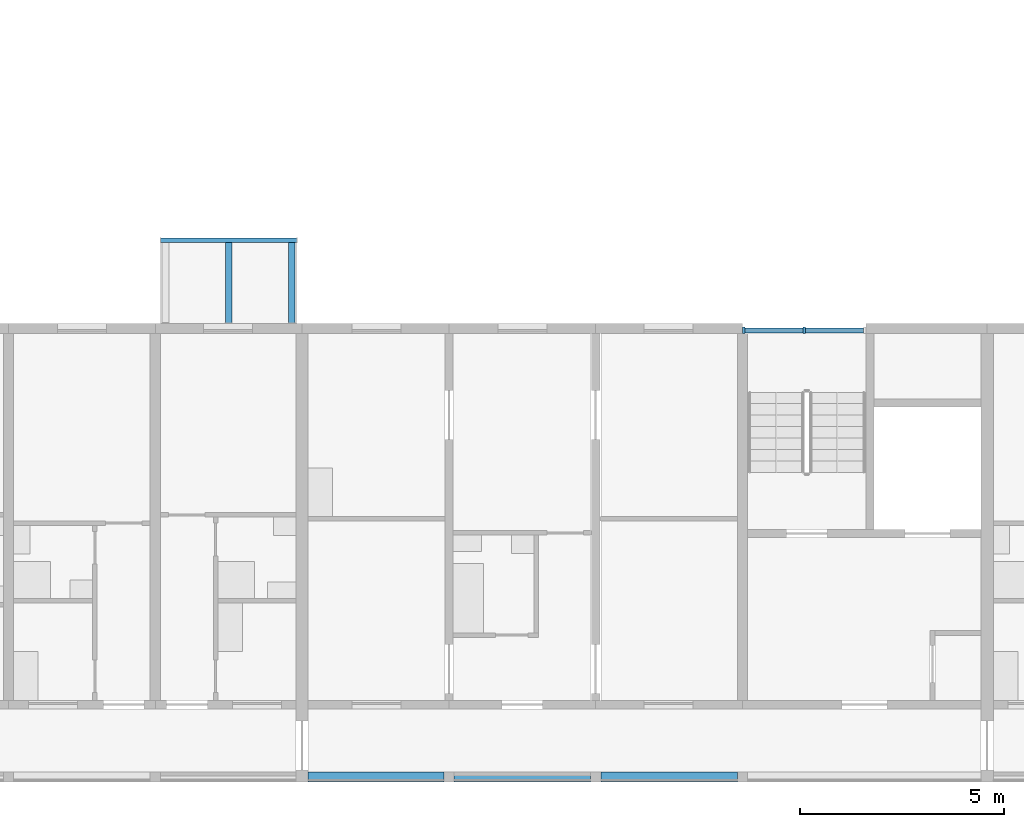
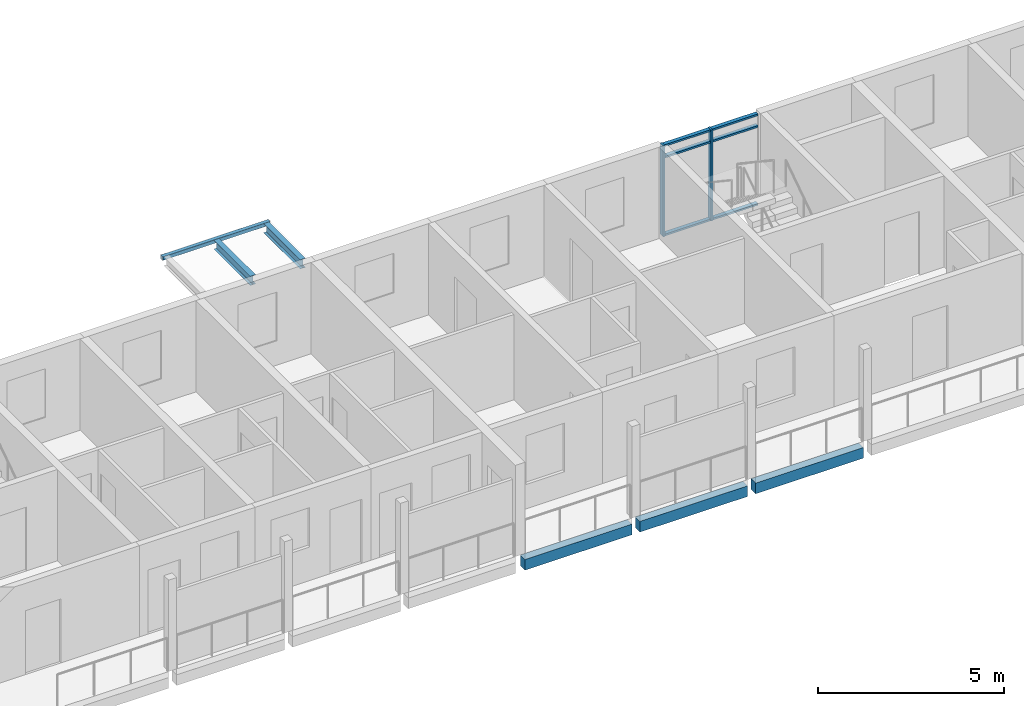
# One storey, part 7 of 98: 8 members, 6 beams, 1 element without a shape of its own.
"""IFC4 building model written with IfcOpenShell, lengths in metres."""

from ifc_helpers import new_model, si_unit, direction, frame, origin, origin_2d, place, context, subcontext, project, spatial, rectangle, hollow_rectangle, i_section, extrude, material, material_profile, profile_set, type_object, element, aggregate, save


model = new_model("IFC4")

# Units and contexts
model_context = context("Model", 3, precision=1e-05, world=origin(), true_north=direction((0.0, 1.0)))
body_context = subcontext(model_context, "Body", "Model", "MODEL_VIEW")
ifc_project = project(units=[si_unit("LENGTHUNIT", "METRE"), si_unit("AREAUNIT", "SQUARE_METRE"), si_unit("VOLUMEUNIT", "CUBIC_METRE"), si_unit("PLANEANGLEUNIT", "RADIAN"), si_unit("MASSUNIT", "GRAM", prefix="KILO")], contexts=[model_context])

# Site, building, storey
site_placement = place(None, origin())
site = spatial("IfcSite", under=ifc_project, at=site_placement, CompositionType="ELEMENT")
building_placement = place(site_placement, origin())
building = spatial("IfcBuilding", under=site, at=building_placement, Name="Ridgestep Commons", CompositionType="ELEMENT")
storey_placement = place(building_placement, frame((0.0, 0.0, 12.0)))
storey = spatial("IfcBuildingStorey", under=building, at=storey_placement, Name="L04", CompositionType="ELEMENT", Elevation=12.0)

# Beams
ifc_material_1 = material(Name="Precast concrete C40/50", Category="concrete")
ifc_material_profile_1 = material_profile(ifc_material_1, rectangle(XDim=0.25, YDim=0.35009765625, at=origin_2d()), Name="PC 250x350")
ifc_profile_set_1 = profile_set([ifc_material_profile_1], Name="Precast concrete C40/50")
beam_type_1 = type_object("IfcBeamType", Name="Loggia edge beam 250 x 350", PredefinedType="SPANDREL", material=ifc_profile_set_1)
beam_1_placement = place(storey_placement, frame((62.550048828125, 11.875, -0.375), z_axis=(1.0, 0.0, 0.0), x_axis=(0.0, 1.0, 0.0)))
element("IfcBeam", 1, at=beam_1_placement, inside=storey, type_object=beam_type_1, Name="Loggia edge beam A4T1 L04", PredefinedType="SPANDREL", context=body_context, shape_type="SweptSolid", body=[
    extrude(rectangle(XDim=0.25, YDim=0.35009765625, at=origin_2d()), origin(), (0.0, 0.0, 1.0), 3.324951171875),
])
beam_2_placement = place(storey_placement, frame((66.125, 11.875, -0.375), z_axis=(1.0, 0.0, 0.0), x_axis=(0.0, 1.0, 0.0)))
element("IfcBeam", 2, at=beam_2_placement, inside=storey, type_object=beam_type_1, Name="Loggia edge beam A4T2 L04", PredefinedType="SPANDREL", context=body_context, shape_type="SweptSolid", body=[
    extrude(rectangle(XDim=0.25, YDim=0.35009765625, at=origin_2d()), origin(), (0.0, 0.0, 1.0), 3.35009765625),
])
beam_3_placement = place(storey_placement, frame((69.72509765625, 11.875, -0.375), z_axis=(1.0, 0.0, 0.0), x_axis=(0.0, 1.0, 0.0)))
element("IfcBeam", 3, at=beam_3_placement, inside=storey, type_object=beam_type_1, Name="Loggia edge beam A4T3 L04", PredefinedType="SPANDREL", context=body_context, shape_type="SweptSolid", body=[
    extrude(rectangle(XDim=0.25, YDim=0.35009765625, at=origin_2d()), origin(), (0.0, 0.0, 1.0), 3.349853515625),
])

# Curtain wall, members
ifc_material_2 = material(Name="Aluminium 6063-T6 and glass", Category="aluminium")
curtain_wall_type = type_object("IfcCurtainWallType", Name="Curtain wall stair strip", PredefinedType="NOTDEFINED", material=ifc_material_2)
curtain_wall_placement = place(storey_placement, origin())
curtain_wall = element("IfcCurtainWall", 4, at=curtain_wall_placement, inside=storey, type_object=curtain_wall_type, Name="Curtain wall A4C level 04", PredefinedType="NOTDEFINED")
ifc_material_3 = material(Name="Aluminium 6063-T6", Category="aluminium")
ifc_material_profile_2 = material_profile(ifc_material_3, rectangle(XDim=0.159912109375, YDim=0.06005859375, at=origin_2d()), Name="Mullion 60 x 160")
ifc_profile_set_2 = profile_set([ifc_material_profile_2], Name="Aluminium 6063-T6")
member_type_1 = type_object("IfcMemberType", Name="Mullion 60 x 160", PredefinedType="MULLION", material=ifc_profile_set_2)
member_1_placement = place(storey_placement, frame((73.22998046875, 22.830078125, 0.0), z_axis=(0.0, 0.0, 1.0), x_axis=(0.0, 1.0, 0.0)))
member_1 = element("IfcMember", 5, at=member_1_placement, type_object=member_type_1, Name="CW1 mullion 1", PredefinedType="MULLION", context=body_context, shape_type="SweptSolid", body=[
    extrude(rectangle(XDim=0.159912109375, YDim=0.06005859375, at=origin_2d()), origin(), (0.0, 0.0, 1.0), 3.0),
])
member_2_placement = place(storey_placement, frame((74.71240234375, 22.830078125, 0.0), z_axis=(0.0, 0.0, 1.0), x_axis=(0.0, 1.0, 0.0)))
member_2 = element("IfcMember", 6, at=member_2_placement, type_object=member_type_1, Name="CW1 mullion 2", PredefinedType="MULLION", context=body_context, shape_type="SweptSolid", body=[
    extrude(rectangle(XDim=0.159912109375, YDim=0.06005859375, at=origin_2d()), origin(), (0.0, 0.0, 1.0), 3.0),
])
ifc_material_4 = material(Name="Aluminium 6063-T6", Category="aluminium")
ifc_material_profile_3 = material_profile(ifc_material_4, rectangle(XDim=0.1201171875, YDim=0.06005859375, at=origin_2d()), Name="Transom 60 x 120")
ifc_profile_set_3 = profile_set([ifc_material_profile_3], Name="Aluminium 6063-T6")
member_type_2 = type_object("IfcMemberType", Name="Transom 60 x 120", PredefinedType="USERDEFINED", material=ifc_profile_set_3)
member_3_placement = place(storey_placement, frame((73.260009765625, 22.830078125, 0.030029296875), z_axis=(1.0, 0.0, 0.0), x_axis=(0.0, 1.0, 0.0)))
member_3 = element("IfcMember", 7, at=member_3_placement, type_object=member_type_2, Name="CW1 transom 1.1", ObjectType="TRANSOM", PredefinedType="USERDEFINED", context=body_context, shape_type="SweptSolid", body=[
    extrude(rectangle(XDim=0.1201171875, YDim=0.06005859375, at=origin_2d()), origin(), (0.0, 0.0, 1.0), 1.422607421875),
])
member_4_placement = place(storey_placement, frame((73.260009765625, 22.830078125, 2.590087890625), z_axis=(1.0, 0.0, 0.0), x_axis=(0.0, 1.0, 0.0)))
member_4 = element("IfcMember", 8, at=member_4_placement, type_object=member_type_2, Name="CW1 transom 1.2", ObjectType="TRANSOM", PredefinedType="USERDEFINED", context=body_context, shape_type="SweptSolid", body=[
    extrude(rectangle(XDim=0.1201171875, YDim=0.06005859375, at=origin_2d()), origin(), (0.0, 0.0, 1.0), 1.422607421875),
])
member_5_placement = place(storey_placement, frame((73.260009765625, 22.830078125, 2.969970703125), z_axis=(1.0, 0.0, 0.0), x_axis=(0.0, 1.0, 0.0)))
member_5 = element("IfcMember", 9, at=member_5_placement, type_object=member_type_2, Name="CW1 transom 1.3", ObjectType="TRANSOM", PredefinedType="USERDEFINED", context=body_context, shape_type="SweptSolid", body=[
    extrude(rectangle(XDim=0.1201171875, YDim=0.06005859375, at=origin_2d()), origin(), (0.0, 0.0, 1.0), 1.422607421875),
])
member_6_placement = place(storey_placement, frame((74.742431640625, 22.830078125, 0.030029296875), z_axis=(1.0, 0.0, 0.0), x_axis=(0.0, 1.0, 0.0)))
member_6 = element("IfcMember", 10, at=member_6_placement, type_object=member_type_2, Name="CW1 transom 2.1", ObjectType="TRANSOM", PredefinedType="USERDEFINED", context=body_context, shape_type="SweptSolid", body=[
    extrude(rectangle(XDim=0.1201171875, YDim=0.06005859375, at=origin_2d()), origin(), (0.0, 0.0, 1.0), 1.422607421875),
])
member_7_placement = place(storey_placement, frame((74.742431640625, 22.830078125, 2.590087890625), z_axis=(1.0, 0.0, 0.0), x_axis=(0.0, 1.0, 0.0)))
member_7 = element("IfcMember", 11, at=member_7_placement, type_object=member_type_2, Name="CW1 transom 2.2", ObjectType="TRANSOM", PredefinedType="USERDEFINED", context=body_context, shape_type="SweptSolid", body=[
    extrude(rectangle(XDim=0.1201171875, YDim=0.06005859375, at=origin_2d()), origin(), (0.0, 0.0, 1.0), 1.422607421875),
])
member_8_placement = place(storey_placement, frame((74.742431640625, 22.830078125, 2.969970703125), z_axis=(1.0, 0.0, 0.0), x_axis=(0.0, 1.0, 0.0)))
member_8 = element("IfcMember", 12, at=member_8_placement, type_object=member_type_2, Name="CW1 transom 2.3", ObjectType="TRANSOM", PredefinedType="USERDEFINED", context=body_context, shape_type="SweptSolid", body=[
    extrude(rectangle(XDim=0.1201171875, YDim=0.06005859375, at=origin_2d()), origin(), (0.0, 0.0, 1.0), 1.422607421875),
])
aggregate(curtain_wall, [member_1, member_2, member_3, member_4, member_5, member_6, member_7, member_8])

# Beams
ifc_material_5 = material(Name="Weathering steel S355J2W", Category="steel")
ifc_material_profile_4 = material_profile(ifc_material_5, i_section(OverallWidth=0.1650390625, OverallDepth=0.303466796875, WebThickness=0.006103515625, FlangeThickness=0.01025390625, FilletRadius=0.0087890625, at=origin_2d()), Name="UB 305x165x40")
ifc_profile_set_4 = profile_set([ifc_material_profile_4], Name="Weathering steel S355J2W")
beam_type_2 = type_object("IfcBeamType", Name="Tray arm UB 305x165x40", PredefinedType="BEAM", material=ifc_profile_set_4)
for number, where, z_axis, x_axis, name in (
    (13, (60.60009765625, 23.014892578125, 2.83837890625), (0.0, 1.0, 0.0), (-1.0, 0.0, 0.0), "Tray arm A3T1-05.2"),
    (14, (62.14990234375, 23.014892578125, 2.83837890625), (0.0, 1.0, 0.0), (-1.0, 0.0, 0.0), "Tray arm A3T1-05.3"),
):
    element("IfcBeam", number, at=place(storey_placement, frame(where, z_axis=z_axis, x_axis=x_axis)), inside=storey, type_object=beam_type_2, Name=name, PredefinedType="BEAM", context=body_context, shape_type="SweptSolid", body=[
        extrude(i_section(OverallWidth=0.1650390625, OverallDepth=0.303466796875, WebThickness=0.006103515625, FlangeThickness=0.01025390625, FilletRadius=0.0087890625, at=origin_2d()), origin(), (0.0, 0.0, 1.0), 1.965087890625),
    ])
ifc_material_6 = material(Name="Weathering steel S355J2W", Category="steel")
ifc_material_profile_5 = material_profile(ifc_material_6, hollow_rectangle(XDim=0.1201171875, YDim=0.1201171875, WallThickness=0.00634765625, InnerFilletRadius=0.00634765625, OuterFilletRadius=0.009521484375, at=origin_2d()), Name="SHS 120x120x6.3")
ifc_profile_set_5 = profile_set([ifc_material_profile_5], Name="Weathering steel S355J2W")
beam_type_3 = type_object("IfcBeamType", Name="Tray edge member SHS 120x120x6.3", PredefinedType="BEAM", material=ifc_profile_set_5)
beam_4_placement = place(storey_placement, frame((58.929931640625, 25.0400390625, 2.929931640625), z_axis=(1.0, 0.0, 0.0), x_axis=(0.0, 0.0, 1.0)))
element("IfcBeam", 15, at=beam_4_placement, inside=storey, type_object=beam_type_3, Name="Tray edge member A3T1-05", PredefinedType="BEAM", context=body_context, shape_type="SweptSolid", body=[
    extrude(hollow_rectangle(XDim=0.1201171875, YDim=0.1201171875, WallThickness=0.00634765625, InnerFilletRadius=0.00634765625, OuterFilletRadius=0.009521484375, at=origin_2d()), origin(), (0.0, 0.0, 1.0), 3.340087890625),
])

save(model, "model.ifc")
